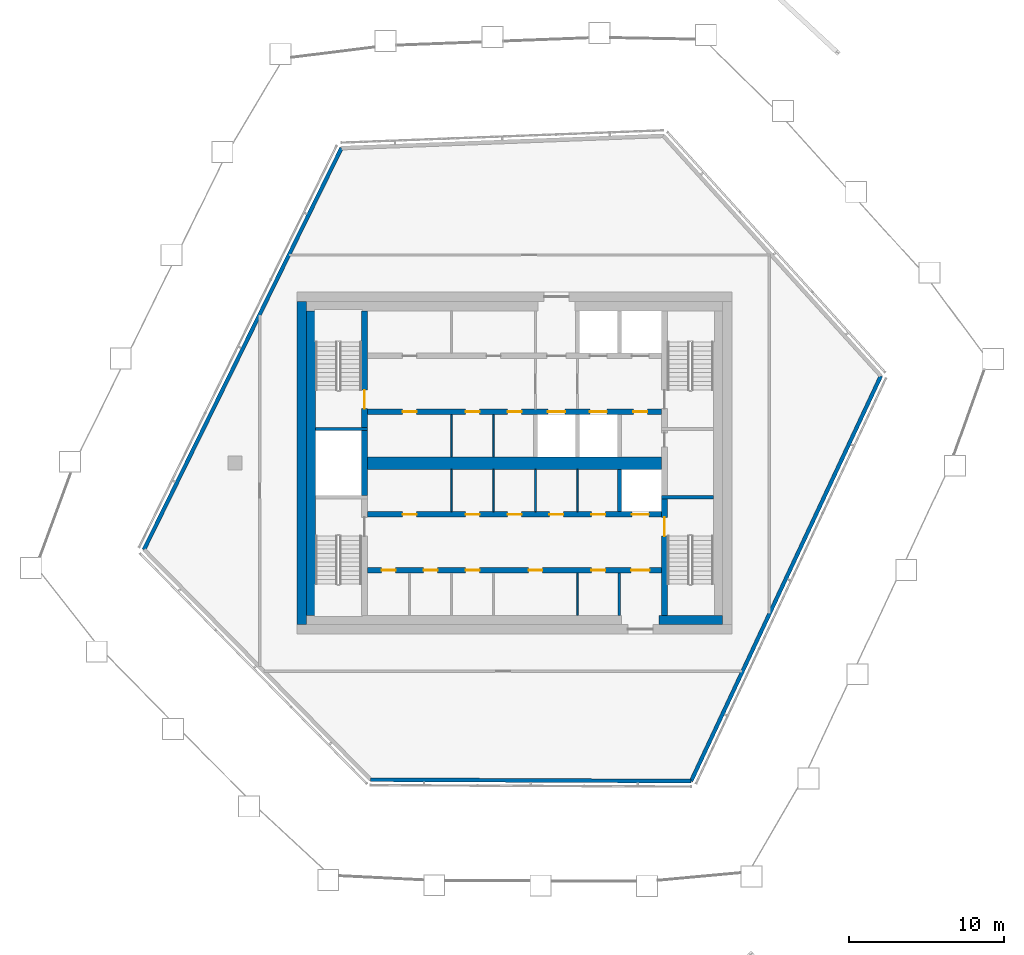
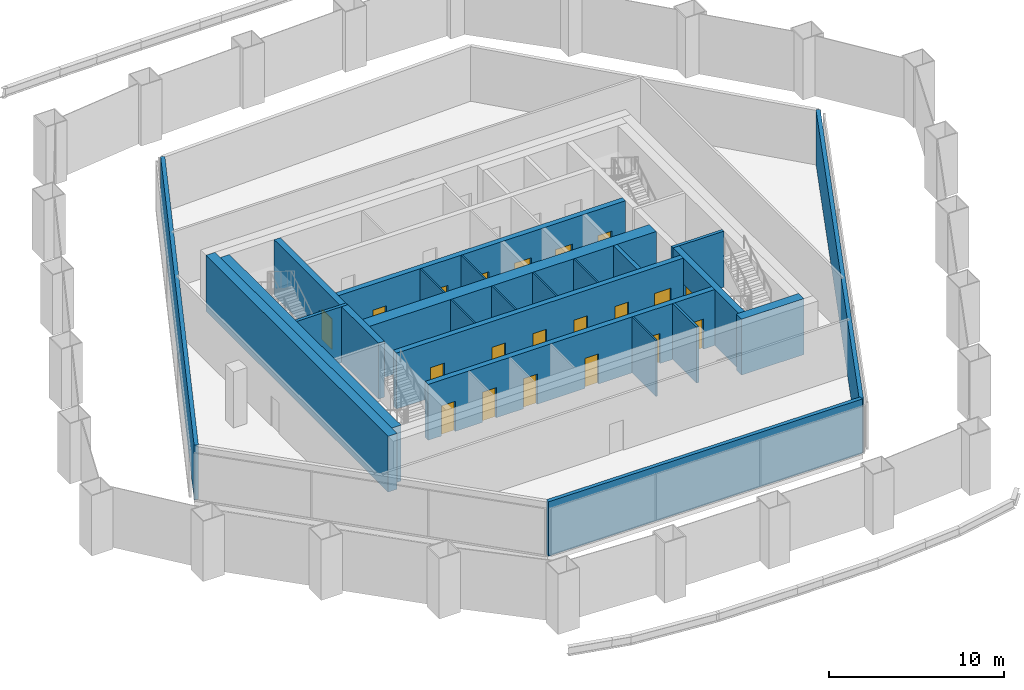
# One storey, part 8 of 18: 24 walls, 20 doors, 20 openings.
"""IFC4 building model written with IfcOpenShell, lengths in metres."""

from ifc_helpers import new_model, si_unit, direction, frame, frame_2d, origin, place, context, subcontext, project, spatial, rectangle, extrude, material, layer, layer_set, type_object, element, fill, save


model = new_model("IFC4")

# Units and contexts
model_context = context("Model", 3, precision=1e-05, world=origin(), true_north=direction((0.0, 1.0)))
body_context = subcontext(model_context, "Body", "Model", "MODEL_VIEW")
ifc_project = project(units=[si_unit("LENGTHUNIT", "METRE"), si_unit("AREAUNIT", "SQUARE_METRE"), si_unit("VOLUMEUNIT", "CUBIC_METRE"), si_unit("PLANEANGLEUNIT", "RADIAN"), si_unit("MASSUNIT", "GRAM", prefix="KILO")], contexts=[model_context])

# Site, building, storey
site_placement = place(None, origin())
site = spatial("IfcSite", under=ifc_project, at=site_placement, CompositionType="ELEMENT")
building_placement = place(site_placement, origin())
building = spatial("IfcBuilding", under=site, at=building_placement, Name="Dongbaek Canopy Tower", CompositionType="ELEMENT")
storey_placement = place(building_placement, frame((0.0, 0.0, 371.60009765625)))
storey = spatial("IfcBuildingStorey", under=building, at=storey_placement, Name="L80", CompositionType="ELEMENT", Elevation=371.60009765625)

# Wall
ifc_material_1 = material(Name="Concrete C60/75", Category="concrete")
ifc_layer_1 = layer(ifc_material_1, 0.800048828125)
ifc_layer_set_1 = layer_set([ifc_layer_1], Name="Core central wall 800 Concrete C60/75")
wall_type_1 = type_object("IfcWallType", Name="Core central wall 800 Concrete C60/75", PredefinedType="SHEAR", material=ifc_layer_set_1)
wall_1_placement = place(storey_placement, frame((-9.449951171875, 0.0, 0.0), z_axis=(0.0, 0.0, 1.0), x_axis=(1.0, 0.0, 0.0)))
element("IfcWall", 1, at=wall_1_placement, inside=storey, type_object=wall_type_1, Name="Core wall", PredefinedType="SHEAR", context=body_context, shape_type="SweptSolid", body=[
    extrude(rectangle(XDim=18.89990234375, YDim=0.800048828125, at=frame_2d((9.449951171875, 0.0))), origin(), (0.0, 0.0, 1.0), 3.89990234375),
])

# Wall, openings, doors
ifc_material_2 = material(Name="Concrete C60/75", Category="concrete")
ifc_layer_2 = layer(ifc_material_2, 0.35009765625)
ifc_layer_set_2 = layer_set([ifc_layer_2], Name="Core lobby wall 350 Concrete C60/75")
wall_type_2 = type_object("IfcWallType", Name="Core lobby wall 350 Concrete C60/75", PredefinedType="SHEAR", material=ifc_layer_set_2)
wall_2_placement = place(storey_placement, frame((9.449951171875, 3.300048828125, 0.0), z_axis=(0.0, 0.0, 1.0), x_axis=(-1.0, 0.0, 0.0)))
wall_2 = element("IfcWall", 2, at=wall_2_placement, inside=storey, type_object=wall_type_2, Name="Core wall", PredefinedType="SHEAR", context=body_context, shape_type="SweptSolid", body=[
    extrude(rectangle(XDim=18.89990234375, YDim=0.35009765625, at=frame_2d((9.449951171875, 0.0))), origin(), (0.0, 0.0, 1.0), 3.89990234375),
])
opening_1_placement = place(wall_2_placement, frame((6.199951171875, 0.0, 0.0)))
opening_1 = element("IfcOpeningElement", 3, at=opening_1_placement, cuts=wall_2, Name="Opening L80-D009", PredefinedType="OPENING", context=body_context, shape_type="SweptSolid", body=[
    extrude(rectangle(XDim=1.10009765625, YDim=2.10009765625, at=frame_2d((0.550048828125, 1.050048828125))), frame((0.0, 0.18505859375, 0.0), z_axis=(0.0, -1.0, 0.0), x_axis=(1.0, 0.0, 0.0)), (0.0, 0.0, 1.0), 0.3701171875),
])
opening_2_placement = place(wall_2_placement, frame((3.5, 0.0, 0.0)))
opening_2 = element("IfcOpeningElement", 4, at=opening_2_placement, cuts=wall_2, Name="Opening L80-D010", PredefinedType="OPENING", context=body_context, shape_type="SweptSolid", body=[
    extrude(rectangle(XDim=1.10009765625, YDim=2.10009765625, at=frame_2d((0.550048828125, 1.050048828125))), frame((0.0, 0.18505859375, 0.0), z_axis=(0.0, -1.0, 0.0), x_axis=(1.0, 0.0, 0.0)), (0.0, 0.0, 1.0), 0.3701171875),
])
opening_3_placement = place(wall_2_placement, frame((0.89990234375, 0.0, 0.0)))
opening_3 = element("IfcOpeningElement", 5, at=opening_3_placement, cuts=wall_2, Name="Opening L80-D011", PredefinedType="OPENING", context=body_context, shape_type="SweptSolid", body=[
    extrude(rectangle(XDim=0.89990234375, YDim=2.10009765625, at=frame_2d((0.449951171875, 1.050048828125))), frame((0.0, 0.18505859375, 0.0), z_axis=(0.0, -1.0, 0.0), x_axis=(1.0, 0.0, 0.0)), (0.0, 0.0, 1.0), 0.3701171875),
])
opening_4_placement = place(wall_2_placement, frame((15.75, 0.0, 0.0)))
opening_4 = element("IfcOpeningElement", 6, at=opening_4_placement, cuts=wall_2, Name="Opening L80-D017", PredefinedType="OPENING", context=body_context, shape_type="SweptSolid", body=[
    extrude(rectangle(XDim=0.89990234375, YDim=2.10009765625, at=frame_2d((0.449951171875, 1.050048828125))), frame((0.0, 0.18505859375, 0.0), z_axis=(0.0, -1.0, 0.0), x_axis=(1.0, 0.0, 0.0)), (0.0, 0.0, 1.0), 0.3701171875),
])
opening_5_placement = place(wall_2_placement, frame((11.699951171875, 0.0, 0.0)))
opening_5 = element("IfcOpeningElement", 7, at=opening_5_placement, cuts=wall_2, Name="Opening L80-D018", PredefinedType="OPENING", context=body_context, shape_type="SweptSolid", body=[
    extrude(rectangle(XDim=0.89990234375, YDim=2.10009765625, at=frame_2d((0.449951171875, 1.050048828125))), frame((0.0, 0.18505859375, 0.0), z_axis=(0.0, -1.0, 0.0), x_axis=(1.0, 0.0, 0.0)), (0.0, 0.0, 1.0), 0.3701171875),
])
opening_6_placement = place(wall_2_placement, frame((9.0, 0.0, 0.0)))
opening_6 = element("IfcOpeningElement", 8, at=opening_6_placement, cuts=wall_2, Name="Opening L80-D019", PredefinedType="OPENING", context=body_context, shape_type="SweptSolid", body=[
    extrude(rectangle(XDim=0.89990234375, YDim=2.10009765625, at=frame_2d((0.449951171875, 1.050048828125))), frame((0.0, 0.18505859375, 0.0), z_axis=(0.0, -1.0, 0.0), x_axis=(1.0, 0.0, 0.0)), (0.0, 0.0, 1.0), 0.3701171875),
])
ifc_material_3 = material(Name="Steel", Category="steel")
door_type_1 = type_object("IfcDoorType", Name="Core room door 900 x 2100", OperationType="SINGLE_SWING_LEFT", PredefinedType="DOOR", material=ifc_material_3)
door_1_placement = place(opening_3_placement, origin())
door_1 = element("IfcDoor", 9, at=door_1_placement, inside=storey, type_object=door_type_1, Name="Door L80-D011", OperationType="SINGLE_SWING_LEFT", OverallHeight=2.10009765625, OverallWidth=0.89990234375, PredefinedType="DOOR", context=body_context, shape_type="SweptSolid", body=[
    extrude(rectangle(XDim=0.89990234375, YDim=2.10009765625, at=frame_2d((0.449951171875, 1.050048828125))), frame((0.0, 0.02490234375, 0.0), z_axis=(0.0, -1.0, 0.0), x_axis=(1.0, 0.0, 0.0)), (0.0, 0.0, 1.0), 0.050048828125),
])
fill(opening_3, door_1)
door_2_placement = place(opening_4_placement, origin())
door_2 = element("IfcDoor", 10, at=door_2_placement, inside=storey, type_object=door_type_1, Name="Door L80-D017", OperationType="SINGLE_SWING_RIGHT", OverallHeight=2.10009765625, OverallWidth=0.89990234375, PredefinedType="DOOR", context=body_context, shape_type="SweptSolid", body=[
    extrude(rectangle(XDim=0.89990234375, YDim=2.10009765625, at=frame_2d((0.449951171875, 1.050048828125))), frame((0.0, 0.02490234375, 0.0), z_axis=(0.0, -1.0, 0.0), x_axis=(1.0, 0.0, 0.0)), (0.0, 0.0, 1.0), 0.050048828125),
])
fill(opening_4, door_2)
door_3_placement = place(opening_5_placement, origin())
door_3 = element("IfcDoor", 11, at=door_3_placement, inside=storey, type_object=door_type_1, Name="Door L80-D018", OperationType="SINGLE_SWING_LEFT", OverallHeight=2.10009765625, OverallWidth=0.89990234375, PredefinedType="DOOR", context=body_context, shape_type="SweptSolid", body=[
    extrude(rectangle(XDim=0.89990234375, YDim=2.10009765625, at=frame_2d((0.449951171875, 1.050048828125))), frame((0.0, 0.02490234375, 0.0), z_axis=(0.0, -1.0, 0.0), x_axis=(1.0, 0.0, 0.0)), (0.0, 0.0, 1.0), 0.050048828125),
])
fill(opening_5, door_3)
door_4_placement = place(opening_6_placement, origin())
door_4 = element("IfcDoor", 12, at=door_4_placement, inside=storey, type_object=door_type_1, Name="Door L80-D019", OperationType="SINGLE_SWING_RIGHT", OverallHeight=2.10009765625, OverallWidth=0.89990234375, PredefinedType="DOOR", context=body_context, shape_type="SweptSolid", body=[
    extrude(rectangle(XDim=0.89990234375, YDim=2.10009765625, at=frame_2d((0.449951171875, 1.050048828125))), frame((0.0, 0.02490234375, 0.0), z_axis=(0.0, -1.0, 0.0), x_axis=(1.0, 0.0, 0.0)), (0.0, 0.0, 1.0), 0.050048828125),
])
fill(opening_6, door_4)
ifc_material_4 = material(Name="Stainless steel", Category="steel")
door_type_2 = type_object("IfcDoorType", Name="Lift landing door 1100 x 2100", OperationType="DOUBLE_DOOR_SLIDING", PredefinedType="DOOR", material=ifc_material_4)
door_5_placement = place(opening_1_placement, origin())
door_5 = element("IfcDoor", 13, at=door_5_placement, inside=storey, type_object=door_type_2, Name="Landing door SV1", OperationType="DOUBLE_DOOR_SLIDING", OverallHeight=2.10009765625, OverallWidth=1.10009765625, PredefinedType="DOOR", context=body_context, shape_type="SweptSolid", body=[
    extrude(rectangle(XDim=1.10009765625, YDim=2.10009765625, at=frame_2d((0.550048828125, 1.050048828125))), frame((0.0, 0.02490234375, 0.0), z_axis=(0.0, -1.0, 0.0), x_axis=(1.0, 0.0, 0.0)), (0.0, 0.0, 1.0), 0.050048828125),
])
fill(opening_1, door_5)
door_6_placement = place(opening_2_placement, origin())
door_6 = element("IfcDoor", 14, at=door_6_placement, inside=storey, type_object=door_type_2, Name="Landing door FF3", OperationType="DOUBLE_DOOR_SLIDING", OverallHeight=2.10009765625, OverallWidth=1.10009765625, PredefinedType="DOOR", context=body_context, shape_type="SweptSolid", body=[
    extrude(rectangle(XDim=1.10009765625, YDim=2.10009765625, at=frame_2d((0.550048828125, 1.050048828125))), frame((0.0, 0.02490234375, 0.0), z_axis=(0.0, -1.0, 0.0), x_axis=(1.0, 0.0, 0.0)), (0.0, 0.0, 1.0), 0.050048828125),
])
fill(opening_2, door_6)

wall_3_placement = place(storey_placement, frame((-9.449951171875, -3.300048828125, 0.0), z_axis=(0.0, 0.0, 1.0), x_axis=(1.0, 0.0, 0.0)))
wall_3 = element("IfcWall", 15, at=wall_3_placement, inside=storey, type_object=wall_type_2, Name="Core wall", PredefinedType="SHEAR", context=body_context, shape_type="SweptSolid", body=[
    extrude(rectangle(XDim=18.89990234375, YDim=0.35009765625, at=frame_2d((9.449951171875, 0.0))), origin(), (0.0, 0.0, 1.0), 3.89990234375),
])
opening_7_placement = place(wall_3_placement, frame((17.0, 0.0, 0.0)))
opening_7 = element("IfcOpeningElement", 16, at=opening_7_placement, cuts=wall_3, Name="Opening L80-D012", PredefinedType="OPENING", context=body_context, shape_type="SweptSolid", body=[
    extrude(rectangle(XDim=1.10009765625, YDim=2.10009765625, at=frame_2d((0.550048828125, 1.050048828125))), frame((0.0, 0.18505859375, 0.0), z_axis=(0.0, -1.0, 0.0), x_axis=(1.0, 0.0, 0.0)), (0.0, 0.0, 1.0), 0.3701171875),
])
opening_8_placement = place(wall_3_placement, frame((2.25, 0.0, 0.0)))
opening_8 = element("IfcOpeningElement", 17, at=opening_8_placement, cuts=wall_3, Name="Opening L80-D020", PredefinedType="OPENING", context=body_context, shape_type="SweptSolid", body=[
    extrude(rectangle(XDim=0.89990234375, YDim=2.10009765625, at=frame_2d((0.449951171875, 1.050048828125))), frame((0.0, 0.18505859375, 0.0), z_axis=(0.0, -1.0, 0.0), x_axis=(1.0, 0.0, 0.0)), (0.0, 0.0, 1.0), 0.3701171875),
])
opening_9_placement = place(wall_3_placement, frame((6.300048828125, 0.0, 0.0)))
opening_9 = element("IfcOpeningElement", 18, at=opening_9_placement, cuts=wall_3, Name="Opening L80-D021", PredefinedType="OPENING", context=body_context, shape_type="SweptSolid", body=[
    extrude(rectangle(XDim=0.89990234375, YDim=2.10009765625, at=frame_2d((0.449951171875, 1.050048828125))), frame((0.0, 0.18505859375, 0.0), z_axis=(0.0, -1.0, 0.0), x_axis=(1.0, 0.0, 0.0)), (0.0, 0.0, 1.0), 0.3701171875),
])
opening_10_placement = place(wall_3_placement, frame((9.0, 0.0, 0.0)))
opening_10 = element("IfcOpeningElement", 19, at=opening_10_placement, cuts=wall_3, Name="Opening L80-D022", PredefinedType="OPENING", context=body_context, shape_type="SweptSolid", body=[
    extrude(rectangle(XDim=0.89990234375, YDim=2.10009765625, at=frame_2d((0.449951171875, 1.050048828125))), frame((0.0, 0.18505859375, 0.0), z_axis=(0.0, -1.0, 0.0), x_axis=(1.0, 0.0, 0.0)), (0.0, 0.0, 1.0), 0.3701171875),
])
opening_11_placement = place(wall_3_placement, frame((11.699951171875, 0.0, 0.0)))
opening_11 = element("IfcOpeningElement", 20, at=opening_11_placement, cuts=wall_3, Name="Opening L80-D023", PredefinedType="OPENING", context=body_context, shape_type="SweptSolid", body=[
    extrude(rectangle(XDim=0.89990234375, YDim=2.10009765625, at=frame_2d((0.449951171875, 1.050048828125))), frame((0.0, 0.18505859375, 0.0), z_axis=(0.0, -1.0, 0.0), x_axis=(1.0, 0.0, 0.0)), (0.0, 0.0, 1.0), 0.3701171875),
])
opening_12_placement = place(wall_3_placement, frame((14.39990234375, 0.0, 0.0)))
opening_12 = element("IfcOpeningElement", 21, at=opening_12_placement, cuts=wall_3, Name="Opening L80-D024", PredefinedType="OPENING", context=body_context, shape_type="SweptSolid", body=[
    extrude(rectangle(XDim=0.89990234375, YDim=2.10009765625, at=frame_2d((0.449951171875, 1.050048828125))), frame((0.0, 0.18505859375, 0.0), z_axis=(0.0, -1.0, 0.0), x_axis=(1.0, 0.0, 0.0)), (0.0, 0.0, 1.0), 0.3701171875),
])
door_7_placement = place(opening_8_placement, origin())
door_7 = element("IfcDoor", 22, at=door_7_placement, inside=storey, type_object=door_type_1, Name="Door L80-D020", OperationType="SINGLE_SWING_LEFT", OverallHeight=2.10009765625, OverallWidth=0.89990234375, PredefinedType="DOOR", context=body_context, shape_type="SweptSolid", body=[
    extrude(rectangle(XDim=0.89990234375, YDim=2.10009765625, at=frame_2d((0.449951171875, 1.050048828125))), frame((0.0, 0.02490234375, 0.0), z_axis=(0.0, -1.0, 0.0), x_axis=(1.0, 0.0, 0.0)), (0.0, 0.0, 1.0), 0.050048828125),
])
fill(opening_8, door_7)
door_8_placement = place(opening_9_placement, origin())
door_8 = element("IfcDoor", 23, at=door_8_placement, inside=storey, type_object=door_type_1, Name="Door L80-D021", OperationType="SINGLE_SWING_RIGHT", OverallHeight=2.10009765625, OverallWidth=0.89990234375, PredefinedType="DOOR", context=body_context, shape_type="SweptSolid", body=[
    extrude(rectangle(XDim=0.89990234375, YDim=2.10009765625, at=frame_2d((0.449951171875, 1.050048828125))), frame((0.0, 0.02490234375, 0.0), z_axis=(0.0, -1.0, 0.0), x_axis=(1.0, 0.0, 0.0)), (0.0, 0.0, 1.0), 0.050048828125),
])
fill(opening_9, door_8)
door_9_placement = place(opening_10_placement, origin())
door_9 = element("IfcDoor", 24, at=door_9_placement, inside=storey, type_object=door_type_1, Name="Door L80-D022", OperationType="SINGLE_SWING_LEFT", OverallHeight=2.10009765625, OverallWidth=0.89990234375, PredefinedType="DOOR", context=body_context, shape_type="SweptSolid", body=[
    extrude(rectangle(XDim=0.89990234375, YDim=2.10009765625, at=frame_2d((0.449951171875, 1.050048828125))), frame((0.0, 0.02490234375, 0.0), z_axis=(0.0, -1.0, 0.0), x_axis=(1.0, 0.0, 0.0)), (0.0, 0.0, 1.0), 0.050048828125),
])
fill(opening_10, door_9)
door_10_placement = place(opening_11_placement, origin())
door_10 = element("IfcDoor", 25, at=door_10_placement, inside=storey, type_object=door_type_1, Name="Door L80-D023", OperationType="SINGLE_SWING_RIGHT", OverallHeight=2.10009765625, OverallWidth=0.89990234375, PredefinedType="DOOR", context=body_context, shape_type="SweptSolid", body=[
    extrude(rectangle(XDim=0.89990234375, YDim=2.10009765625, at=frame_2d((0.449951171875, 1.050048828125))), frame((0.0, 0.02490234375, 0.0), z_axis=(0.0, -1.0, 0.0), x_axis=(1.0, 0.0, 0.0)), (0.0, 0.0, 1.0), 0.050048828125),
])
fill(opening_11, door_10)
door_11_placement = place(opening_12_placement, origin())
door_11 = element("IfcDoor", 26, at=door_11_placement, inside=storey, type_object=door_type_1, Name="Door L80-D024", OperationType="SINGLE_SWING_LEFT", OverallHeight=2.10009765625, OverallWidth=0.89990234375, PredefinedType="DOOR", context=body_context, shape_type="SweptSolid", body=[
    extrude(rectangle(XDim=0.89990234375, YDim=2.10009765625, at=frame_2d((0.449951171875, 1.050048828125))), frame((0.0, 0.02490234375, 0.0), z_axis=(0.0, -1.0, 0.0), x_axis=(1.0, 0.0, 0.0)), (0.0, 0.0, 1.0), 0.050048828125),
])
fill(opening_12, door_11)
door_12_placement = place(opening_7_placement, origin())
door_12 = element("IfcDoor", 27, at=door_12_placement, inside=storey, type_object=door_type_2, Name="Landing door SV2", OperationType="DOUBLE_DOOR_SLIDING", OverallHeight=2.10009765625, OverallWidth=1.10009765625, PredefinedType="DOOR", context=body_context, shape_type="SweptSolid", body=[
    extrude(rectangle(XDim=1.10009765625, YDim=2.10009765625, at=frame_2d((0.550048828125, 1.050048828125))), frame((0.0, 0.02490234375, 0.0), z_axis=(0.0, -1.0, 0.0), x_axis=(1.0, 0.0, 0.0)), (0.0, 0.0, 1.0), 0.050048828125),
])
fill(opening_7, door_12)

wall_4_placement = place(storey_placement, frame((9.449951171875, -6.89990234375, 0.0), z_axis=(0.0, 0.0, 1.0), x_axis=(-1.0, 0.0, 0.0)))
wall_4 = element("IfcWall", 28, at=wall_4_placement, inside=storey, type_object=wall_type_2, Name="Core wall", PredefinedType="SHEAR", context=body_context, shape_type="SweptSolid", body=[
    extrude(rectangle(XDim=18.89990234375, YDim=0.35009765625, at=frame_2d((9.449951171875, 0.0))), origin(), (0.0, 0.0, 1.0), 3.89990234375),
])
opening_13_placement = place(wall_4_placement, frame((0.75, 0.0, 0.0)))
opening_13 = element("IfcOpeningElement", 29, at=opening_13_placement, cuts=wall_4, Name="Opening L80-D014", PredefinedType="OPENING", context=body_context, shape_type="SweptSolid", body=[
    extrude(rectangle(XDim=1.199951171875, YDim=2.10009765625, at=frame_2d((0.60009765625, 1.050048828125))), frame((0.0, 0.18505859375, 0.0), z_axis=(0.0, -1.0, 0.0), x_axis=(1.0, 0.0, 0.0)), (0.0, 0.0, 1.0), 0.3701171875),
])
opening_14_placement = place(wall_4_placement, frame((17.10009765625, 0.0, 0.0)))
opening_14 = element("IfcOpeningElement", 30, at=opening_14_placement, cuts=wall_4, Name="Opening L80-D025", PredefinedType="OPENING", context=body_context, shape_type="SweptSolid", body=[
    extrude(rectangle(XDim=0.89990234375, YDim=2.10009765625, at=frame_2d((0.449951171875, 1.050048828125))), frame((0.0, 0.18505859375, 0.0), z_axis=(0.0, -1.0, 0.0), x_axis=(1.0, 0.0, 0.0)), (0.0, 0.0, 1.0), 0.3701171875),
])
opening_15_placement = place(wall_4_placement, frame((14.39990234375, 0.0, 0.0)))
opening_15 = element("IfcOpeningElement", 31, at=opening_15_placement, cuts=wall_4, Name="Opening L80-D026", PredefinedType="OPENING", context=body_context, shape_type="SweptSolid", body=[
    extrude(rectangle(XDim=0.89990234375, YDim=2.10009765625, at=frame_2d((0.449951171875, 1.050048828125))), frame((0.0, 0.18505859375, 0.0), z_axis=(0.0, -1.0, 0.0), x_axis=(1.0, 0.0, 0.0)), (0.0, 0.0, 1.0), 0.3701171875),
])
opening_16_placement = place(wall_4_placement, frame((11.699951171875, 0.0, 0.0)))
opening_16 = element("IfcOpeningElement", 32, at=opening_16_placement, cuts=wall_4, Name="Opening L80-D027", PredefinedType="OPENING", context=body_context, shape_type="SweptSolid", body=[
    extrude(rectangle(XDim=0.89990234375, YDim=2.10009765625, at=frame_2d((0.449951171875, 1.050048828125))), frame((0.0, 0.18505859375, 0.0), z_axis=(0.0, -1.0, 0.0), x_axis=(1.0, 0.0, 0.0)), (0.0, 0.0, 1.0), 0.3701171875),
])
opening_17_placement = place(wall_4_placement, frame((7.64990234375, 0.0, 0.0)))
opening_17 = element("IfcOpeningElement", 33, at=opening_17_placement, cuts=wall_4, Name="Opening L80-D028", PredefinedType="OPENING", context=body_context, shape_type="SweptSolid", body=[
    extrude(rectangle(XDim=0.89990234375, YDim=2.10009765625, at=frame_2d((0.449951171875, 1.050048828125))), frame((0.0, 0.18505859375, 0.0), z_axis=(0.0, -1.0, 0.0), x_axis=(1.0, 0.0, 0.0)), (0.0, 0.0, 1.0), 0.3701171875),
])
opening_18_placement = place(wall_4_placement, frame((3.60009765625, 0.0, 0.0)))
opening_18 = element("IfcOpeningElement", 34, at=opening_18_placement, cuts=wall_4, Name="Opening L80-D029", PredefinedType="OPENING", context=body_context, shape_type="SweptSolid", body=[
    extrude(rectangle(XDim=0.89990234375, YDim=2.10009765625, at=frame_2d((0.449951171875, 1.050048828125))), frame((0.0, 0.18505859375, 0.0), z_axis=(0.0, -1.0, 0.0), x_axis=(1.0, 0.0, 0.0)), (0.0, 0.0, 1.0), 0.3701171875),
])
door_13_placement = place(opening_14_placement, origin())
door_13 = element("IfcDoor", 35, at=door_13_placement, inside=storey, type_object=door_type_1, Name="Door L80-D025", OperationType="SINGLE_SWING_RIGHT", OverallHeight=2.10009765625, OverallWidth=0.89990234375, PredefinedType="DOOR", context=body_context, shape_type="SweptSolid", body=[
    extrude(rectangle(XDim=0.89990234375, YDim=2.10009765625, at=frame_2d((0.449951171875, 1.050048828125))), frame((0.0, 0.02490234375, 0.0), z_axis=(0.0, -1.0, 0.0), x_axis=(1.0, 0.0, 0.0)), (0.0, 0.0, 1.0), 0.050048828125),
])
fill(opening_14, door_13)
door_14_placement = place(opening_15_placement, origin())
door_14 = element("IfcDoor", 36, at=door_14_placement, inside=storey, type_object=door_type_1, Name="Door L80-D026", OperationType="SINGLE_SWING_LEFT", OverallHeight=2.10009765625, OverallWidth=0.89990234375, PredefinedType="DOOR", context=body_context, shape_type="SweptSolid", body=[
    extrude(rectangle(XDim=0.89990234375, YDim=2.10009765625, at=frame_2d((0.449951171875, 1.050048828125))), frame((0.0, 0.02490234375, 0.0), z_axis=(0.0, -1.0, 0.0), x_axis=(1.0, 0.0, 0.0)), (0.0, 0.0, 1.0), 0.050048828125),
])
fill(opening_15, door_14)
door_15_placement = place(opening_16_placement, origin())
door_15 = element("IfcDoor", 37, at=door_15_placement, inside=storey, type_object=door_type_1, Name="Door L80-D027", OperationType="SINGLE_SWING_RIGHT", OverallHeight=2.10009765625, OverallWidth=0.89990234375, PredefinedType="DOOR", context=body_context, shape_type="SweptSolid", body=[
    extrude(rectangle(XDim=0.89990234375, YDim=2.10009765625, at=frame_2d((0.449951171875, 1.050048828125))), frame((0.0, 0.02490234375, 0.0), z_axis=(0.0, -1.0, 0.0), x_axis=(1.0, 0.0, 0.0)), (0.0, 0.0, 1.0), 0.050048828125),
])
fill(opening_16, door_15)
door_16_placement = place(opening_17_placement, origin())
door_16 = element("IfcDoor", 38, at=door_16_placement, inside=storey, type_object=door_type_1, Name="Door L80-D028", OperationType="SINGLE_SWING_LEFT", OverallHeight=2.10009765625, OverallWidth=0.89990234375, PredefinedType="DOOR", context=body_context, shape_type="SweptSolid", body=[
    extrude(rectangle(XDim=0.89990234375, YDim=2.10009765625, at=frame_2d((0.449951171875, 1.050048828125))), frame((0.0, 0.02490234375, 0.0), z_axis=(0.0, -1.0, 0.0), x_axis=(1.0, 0.0, 0.0)), (0.0, 0.0, 1.0), 0.050048828125),
])
fill(opening_17, door_16)
door_17_placement = place(opening_18_placement, origin())
door_17 = element("IfcDoor", 39, at=door_17_placement, inside=storey, type_object=door_type_1, Name="Door L80-D029", OperationType="SINGLE_SWING_RIGHT", OverallHeight=2.10009765625, OverallWidth=0.89990234375, PredefinedType="DOOR", context=body_context, shape_type="SweptSolid", body=[
    extrude(rectangle(XDim=0.89990234375, YDim=2.10009765625, at=frame_2d((0.449951171875, 1.050048828125))), frame((0.0, 0.02490234375, 0.0), z_axis=(0.0, -1.0, 0.0), x_axis=(1.0, 0.0, 0.0)), (0.0, 0.0, 1.0), 0.050048828125),
])
fill(opening_18, door_17)
ifc_material_5 = material(Name="Steel", Category="steel")
door_type_3 = type_object("IfcDoorType", Name="Fire lobby door 1200 x 2100", OperationType="SINGLE_SWING_LEFT", PredefinedType="DOOR", material=ifc_material_5)
door_18_placement = place(opening_13_placement, origin())
door_18 = element("IfcDoor", 40, at=door_18_placement, inside=storey, type_object=door_type_3, Name="Door L80-D014", OperationType="SINGLE_SWING_LEFT", OverallHeight=2.10009765625, OverallWidth=1.199951171875, PredefinedType="DOOR", context=body_context, shape_type="SweptSolid", body=[
    extrude(rectangle(XDim=1.199951171875, YDim=2.10009765625, at=frame_2d((0.60009765625, 1.050048828125))), frame((0.0, 0.02490234375, 0.0), z_axis=(0.0, -1.0, 0.0), x_axis=(1.0, 0.0, 0.0)), (0.0, 0.0, 1.0), 0.050048828125),
])
fill(opening_13, door_18)

# Walls
ifc_material_6 = material(Name="Concrete C80/95", Category="concrete")
ifc_layer_3 = layer(ifc_material_6, 0.60009765625)
ifc_layer_set_3 = layer_set([ifc_layer_3], Name="Core outer wall 600 Concrete C80/95")
wall_type_3 = type_object("IfcWallType", Name="Core outer wall 600 Concrete C80/95", PredefinedType="SHEAR", material=ifc_layer_set_3)
wall_5_placement = place(storey_placement, frame((-13.699951171875, -10.39990234375, 0.0), z_axis=(0.0, 0.0, 1.0), x_axis=(0.0, 1.0, 0.0)))
element("IfcWall", 41, at=wall_5_placement, inside=storey, type_object=wall_type_3, Name="Core wall", PredefinedType="SHEAR", context=body_context, shape_type="SweptSolid", body=[
    extrude(rectangle(XDim=20.7998046875, YDim=0.60009765625, at=frame_2d((10.39990234375, 0.0))), origin(), (0.0, 0.0, 1.0), 3.89990234375),
])
ifc_material_7 = material(Name="Concrete C60/75", Category="concrete")
ifc_layer_4 = layer(ifc_material_7, 0.60009765625)
ifc_layer_set_4 = layer_set([ifc_layer_4], Name="Core wall lining 600 Concrete C60/75")
wall_type_4 = type_object("IfcWallType", Name="Core wall lining 600 Concrete C60/75", PredefinedType="SHEAR", material=ifc_layer_set_4)
wall_6_placement = place(storey_placement, frame((13.39990234375, -10.10009765625, 0.0), z_axis=(0.0, 0.0, 1.0), x_axis=(-1.0, 0.0, 0.0)))
element("IfcWall", 42, at=wall_6_placement, inside=storey, type_object=wall_type_4, Name="Core wall lining", PredefinedType="SHEAR", context=body_context, shape_type="SweptSolid", body=[
    extrude(rectangle(XDim=4.099853515625, YDim=0.60009765625, at=frame_2d((2.0498046875, 0.0))), origin(), (0.0, 0.0, 1.0), 3.89990234375),
])
wall_7_placement = place(storey_placement, frame((-13.10009765625, -9.800048828125, 0.0), z_axis=(0.0, 0.0, 1.0), x_axis=(0.0, 1.0, 0.0)))
element("IfcWall", 43, at=wall_7_placement, inside=storey, type_object=wall_type_4, Name="Core wall lining", PredefinedType="SHEAR", context=body_context, shape_type="SweptSolid", body=[
    extrude(rectangle(XDim=19.60009765625, YDim=0.60009765625, at=frame_2d((9.800048828125, 0.0))), origin(), (0.0, 0.0, 1.0), 3.89990234375),
])
ifc_material_8 = material(Name="Gypsum board partition, steel stud, 2 x 15 mm fire board", Category="steel")
ifc_layer_5 = layer(ifc_material_8, 0.14990234375)
ifc_layer_set_5 = layer_set([ifc_layer_5], Name="Fire-rated partition 150 gypsum board")
wall_type_5 = type_object("IfcWallType", Name="Fire-rated partition 150 gypsum board", PredefinedType="PARTITIONING", material=ifc_layer_set_5)
wall_8_placement = place(storey_placement, frame((6.75, -9.800048828125, 0.0), z_axis=(0.0, 0.0, 1.0), x_axis=(0.0, 1.0, 0.0)))
element("IfcWall", 44, at=wall_8_placement, inside=storey, type_object=wall_type_5, Name="Fire lobby partition", PredefinedType="PARTITIONING", context=body_context, shape_type="SweptSolid", body=[
    extrude(rectangle(XDim=2.72509765625, YDim=0.14990234375, at=frame_2d((1.362548828125, 0.0))), origin(), (0.0, 0.0, 1.0), 3.89990234375),
])
ifc_material_9 = material(Name="Concrete C40/50", Category="concrete")
ifc_layer_6 = layer(ifc_material_9, 0.25)
ifc_layer_set_6 = layer_set([ifc_layer_6], Name="Lift shaft wall 250 Concrete C40/50")
wall_type_6 = type_object("IfcWallType", Name="Lift shaft wall 250 Concrete C40/50", PredefinedType="SOLIDWALL", material=ifc_layer_set_6)
wall_9_placement = place(storey_placement, frame((6.75, -3.125, 0.0), z_axis=(0.0, 0.0, 1.0), x_axis=(0.0, 1.0, 0.0)))
element("IfcWall", 45, at=wall_9_placement, inside=storey, type_object=wall_type_6, Name="Lift shaft wall", PredefinedType="SOLIDWALL", context=body_context, shape_type="SweptSolid", body=[
    extrude(rectangle(XDim=2.72509765625, YDim=0.25, at=frame_2d((1.362548828125, 0.0))), origin(), (0.0, 0.0, 1.0), 3.89990234375),
])
ifc_material_10 = material(Name="Gypsum board partition, steel stud, 2 x 12.5 mm board", Category="steel")
ifc_layer_7 = layer(ifc_material_10, 0.10009765625)
ifc_layer_set_7 = layer_set([ifc_layer_7], Name="Partition 100 gypsum board")
wall_type_7 = type_object("IfcWallType", Name="Partition 100 gypsum board", PredefinedType="PARTITIONING", material=ifc_layer_set_7)
for number, where, z_axis, x_axis, name in (
    (46, (4.050048828125, -9.800048828125, 0.0), (0.0, 0.0, 1.0), (0.0, 1.0, 0.0), "Core partition"),
    (47, (4.050048828125, -3.125, 0.0), (0.0, 0.0, 1.0), (0.0, 1.0, 0.0), "Core partition"),
    (48, (1.35009765625, -3.125, 0.0), (0.0, 0.0, 1.0), (0.0, 1.0, 0.0), "Core partition"),
    (49, (-1.35009765625, -3.125, 0.0), (0.0, 0.0, 1.0), (0.0, 1.0, 0.0), "Core partition"),
    (50, (-1.35009765625, 0.39990234375, 0.0), (0.0, 0.0, 1.0), (0.0, 1.0, 0.0), "Core partition"),
    (51, (-4.050048828125, -3.125, 0.0), (0.0, 0.0, 1.0), (0.0, 1.0, 0.0), "Core partition"),
    (52, (-4.050048828125, 0.39990234375, 0.0), (0.0, 0.0, 1.0), (0.0, 1.0, 0.0), "Core partition"),
):
    element("IfcWall", number, at=place(storey_placement, frame(where, z_axis=z_axis, x_axis=x_axis)), inside=storey, type_object=wall_type_7, Name=name, PredefinedType="PARTITIONING", context=body_context, shape_type="SweptSolid", body=[
        extrude(rectangle(XDim=2.72509765625, YDim=0.10009765625, at=frame_2d((1.362548828125, 0.0))), origin(), (0.0, 0.0, 1.0), 3.89990234375),
    ])
ifc_material_11 = material(Name="Pale metal cladding on insulated wall")
ifc_layer_8 = layer(ifc_material_11, 0.25)
ifc_layer_set_8 = layer_set([ifc_layer_8], Name="Plant floor wall 250")
wall_type_8 = type_object("IfcWallType", Name="Plant floor wall 250", PredefinedType="SOLIDWALL", material=ifc_layer_set_8)
wall_10_placement = place(storey_placement, frame((-9.265869140625, -20.376708984375, 0.0), z_axis=(0.0, 0.0, 1.0), x_axis=(0.999990050783, -0.004460755013, 0.0)))
element("IfcWall", 53, at=wall_10_placement, inside=storey, type_object=wall_type_8, Name="Plant wall L80 F0 1", PredefinedType="SOLIDWALL", context=body_context, shape_type="SweptSolid", body=[
    extrude(rectangle(XDim=20.633544921875, YDim=0.25, at=frame_2d((10.31689453125, 0.0))), origin(), (0.0, 0.0, 1.0), 3.7998046875),
])
wall_11_placement = place(storey_placement, frame((11.367431640625, -20.46875, 0.0), z_axis=(0.0, 0.0, 1.0), x_axis=(0.424125024155, 0.905603646131, 0.0)))
element("IfcWall", 54, at=wall_11_placement, inside=storey, type_object=wall_type_8, Name="Plant wall L80 F1 1", PredefinedType="SOLIDWALL", context=body_context, shape_type="SweptSolid", body=[
    extrude(rectangle(XDim=28.80126953125, YDim=0.25, at=frame_2d((14.400634765625, 0.0))), origin(), (0.0, 0.0, 1.0), 3.7998046875),
])
wall_12_placement = place(storey_placement, frame((-11.138427734375, 20.27978515625, 0.0), z_axis=(0.0, 0.0, 1.0), x_axis=(-0.441342255748, -0.897338850876, 0.0)))
element("IfcWall", 55, at=wall_12_placement, inside=storey, type_object=wall_type_8, Name="Plant wall L80 F4 1", PredefinedType="SOLIDWALL", context=body_context, shape_type="SweptSolid", body=[
    extrude(rectangle(XDim=28.80517578125, YDim=0.25, at=frame_2d((14.402587890625, 0.0))), origin(), (0.0, 0.0, 1.0), 3.7998046875),
])
ifc_material_12 = material(Name="Concrete C60/75", Category="concrete")
ifc_layer_9 = layer(ifc_material_12, 0.199951171875)
ifc_layer_set_9 = layer_set([ifc_layer_9], Name="Riser wall 200 Concrete C60/75")
wall_type_9 = type_object("IfcWallType", Name="Riser wall 200 Concrete C60/75", PredefinedType="SHEAR", material=ifc_layer_set_9)
for number, where, z_axis, x_axis, name in (
    (56, (-9.449951171875, 2.199951171875, 0.0), (0.0, 0.0, 1.0), (-1.0, 0.0, 0.0), "Riser wall"),
    (57, (9.449951171875, -2.199951171875, 0.0), (0.0, 0.0, 1.0), (1.0, 0.0, 0.0), "Riser wall"),
):
    element("IfcWall", number, at=place(storey_placement, frame(where, z_axis=z_axis, x_axis=x_axis)), inside=storey, type_object=wall_type_9, Name=name, PredefinedType="SHEAR", context=body_context, shape_type="SweptSolid", body=[
        extrude(rectangle(XDim=3.35009765625, YDim=0.199951171875, at=frame_2d((1.675048828125, 0.0))), origin(), (0.0, 0.0, 1.0), 3.89990234375),
    ])

# Wall, opening, door
ifc_material_13 = material(Name="Concrete C60/75", Category="concrete")
ifc_layer_10 = layer(ifc_material_13, 0.39990234375)
ifc_layer_set_10 = layer_set([ifc_layer_10], Name="Stair wall 400 Concrete C60/75")
wall_type_10 = type_object("IfcWallType", Name="Stair wall 400 Concrete C60/75", PredefinedType="SHEAR", material=ifc_layer_set_10)
wall_13_placement = place(storey_placement, frame((9.64990234375, -2.300048828125, 0.0), z_axis=(0.0, 0.0, 1.0), x_axis=(0.0, -1.0, 0.0)))
wall_13 = element("IfcWall", 58, at=wall_13_placement, inside=storey, type_object=wall_type_10, Name="Stair wall", PredefinedType="SHEAR", context=body_context, shape_type="SweptSolid", body=[
    extrude(rectangle(XDim=7.5, YDim=0.39990234375, at=frame_2d((3.75, 0.0))), origin(), (0.0, 0.0, 1.0), 3.89990234375),
])
opening_19_placement = place(wall_13_placement, frame((1.199951171875, 0.0, 0.0)))
opening_19 = element("IfcOpeningElement", 59, at=opening_19_placement, cuts=wall_13, Name="Opening L80-D032", PredefinedType="OPENING", context=body_context, shape_type="SweptSolid", body=[
    extrude(rectangle(XDim=1.199951171875, YDim=2.10009765625, at=frame_2d((0.60009765625, 1.050048828125))), frame((0.0, 0.2099609375, 0.0), z_axis=(0.0, -1.0, 0.0), x_axis=(1.0, 0.0, 0.0)), (0.0, 0.0, 1.0), 0.419921875),
])
ifc_material_14 = material(Name="Steel", Category="steel")
door_type_4 = type_object("IfcDoorType", Name="Stair door 1200 x 2100", OperationType="SINGLE_SWING_LEFT", PredefinedType="DOOR", material=ifc_material_14)
door_19_placement = place(opening_19_placement, origin())
door_19 = element("IfcDoor", 60, at=door_19_placement, inside=storey, type_object=door_type_4, Name="Stair B door", OperationType="SINGLE_SWING_RIGHT", OverallHeight=2.10009765625, OverallWidth=1.199951171875, PredefinedType="DOOR", context=body_context, shape_type="SweptSolid", body=[
    extrude(rectangle(XDim=1.199951171875, YDim=2.10009765625, at=frame_2d((0.60009765625, 1.050048828125))), frame((0.0, 0.02490234375, 0.0), z_axis=(0.0, -1.0, 0.0), x_axis=(1.0, 0.0, 0.0)), (0.0, 0.0, 1.0), 0.050048828125),
])
fill(opening_19, door_19)

# Wall
wall_14_placement = place(storey_placement, frame((-9.64990234375, -2.10009765625, 0.0), z_axis=(0.0, 0.0, 1.0), x_axis=(0.0, 1.0, 0.0)))
element("IfcWall", 61, at=wall_14_placement, inside=storey, type_object=wall_type_10, Name="Stair wall", PredefinedType="SHEAR", context=body_context, shape_type="SweptSolid", body=[
    extrude(rectangle(XDim=4.2001953125, YDim=0.39990234375, at=frame_2d((2.10009765625, 0.0))), origin(), (0.0, 0.0, 1.0), 3.89990234375),
])

# Wall, opening, door
wall_15_placement = place(storey_placement, frame((-9.64990234375, 2.300048828125, 0.0), z_axis=(0.0, 0.0, 1.0), x_axis=(0.0, 1.0, 0.0)))
wall_15 = element("IfcWall", 62, at=wall_15_placement, inside=storey, type_object=wall_type_10, Name="Stair wall", PredefinedType="SHEAR", context=body_context, shape_type="SweptSolid", body=[
    extrude(rectangle(XDim=7.5, YDim=0.39990234375, at=frame_2d((3.75, 0.0))), origin(), (0.0, 0.0, 1.0), 3.89990234375),
])
opening_20_placement = place(wall_15_placement, frame((1.199951171875, 0.0, 0.0)))
opening_20 = element("IfcOpeningElement", 63, at=opening_20_placement, cuts=wall_15, Name="Opening L80-D031", PredefinedType="OPENING", context=body_context, shape_type="SweptSolid", body=[
    extrude(rectangle(XDim=1.199951171875, YDim=2.10009765625, at=frame_2d((0.60009765625, 1.050048828125))), frame((0.0, 0.2099609375, 0.0), z_axis=(0.0, -1.0, 0.0), x_axis=(1.0, 0.0, 0.0)), (0.0, 0.0, 1.0), 0.419921875),
])
door_20_placement = place(opening_20_placement, origin())
door_20 = element("IfcDoor", 64, at=door_20_placement, inside=storey, type_object=door_type_4, Name="Stair C door", OperationType="SINGLE_SWING_RIGHT", OverallHeight=2.10009765625, OverallWidth=1.199951171875, PredefinedType="DOOR", context=body_context, shape_type="SweptSolid", body=[
    extrude(rectangle(XDim=1.199951171875, YDim=2.10009765625, at=frame_2d((0.60009765625, 1.050048828125))), frame((0.0, 0.02490234375, 0.0), z_axis=(0.0, -1.0, 0.0), x_axis=(1.0, 0.0, 0.0)), (0.0, 0.0, 1.0), 0.050048828125),
])
fill(opening_20, door_20)

save(model, "model.ifc")
